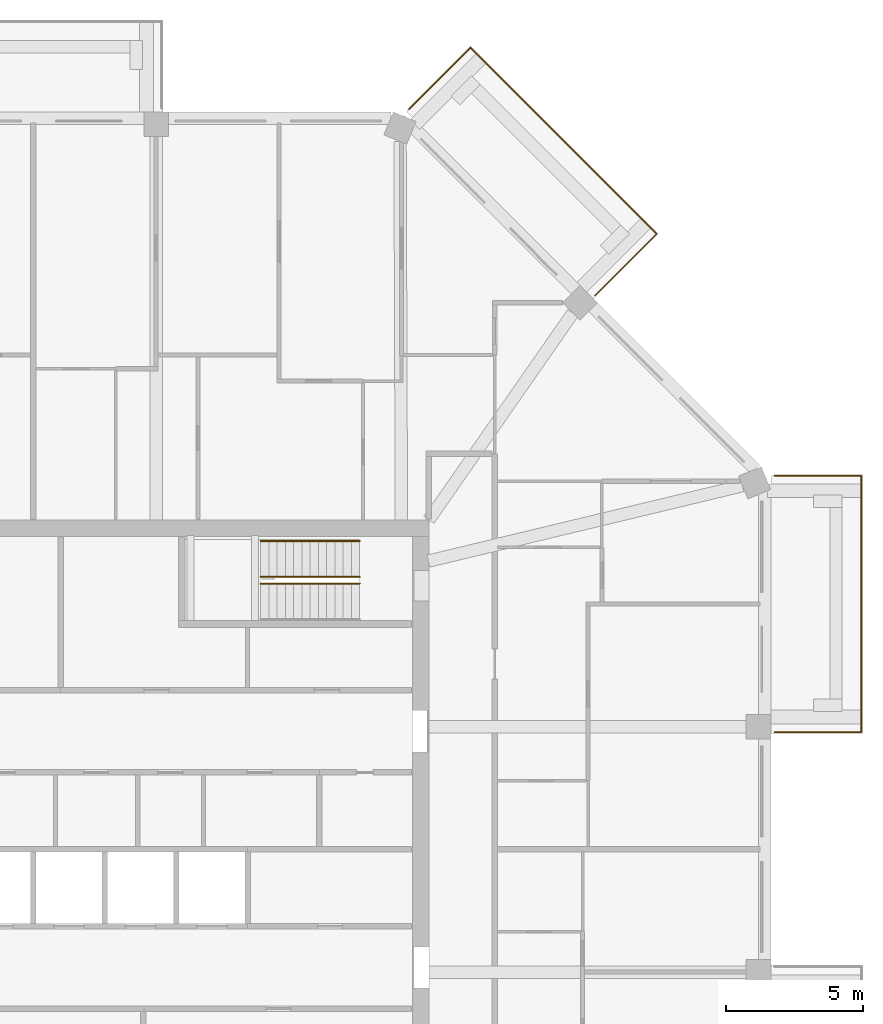
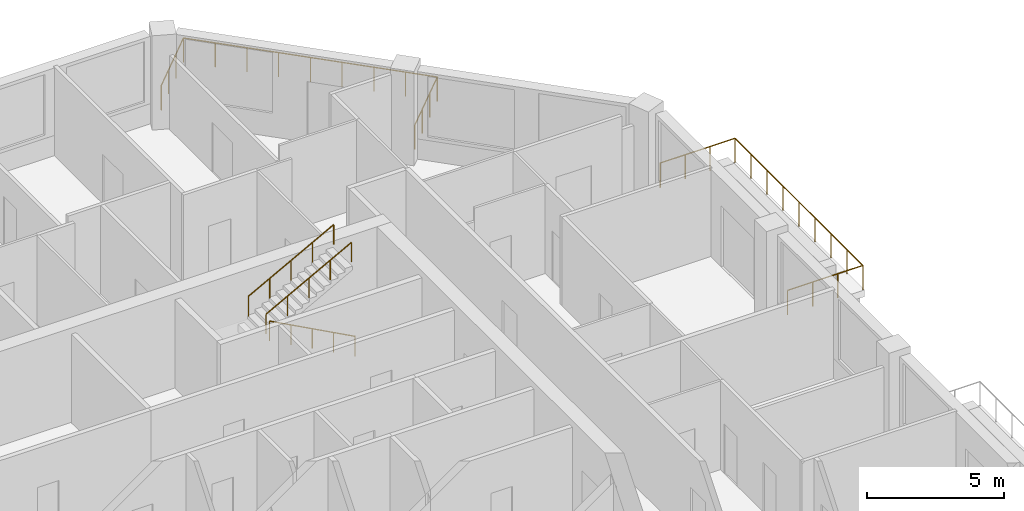
# One storey, part 12 of 12: 5 railings.
"""IFC4 building model written with IfcOpenShell, lengths in metres."""

from ifc_helpers import new_model, si_unit, direction, frame, origin, origin_2d, place, context, subcontext, project, spatial, circle, extrude, material, constituent, constituent_set, type_object, element, save


model = new_model("IFC4")

# Units and contexts
model_context = context("Model", 3, precision=1e-05, world=origin(), true_north=direction((0.0, 1.0)))
body_context = subcontext(model_context, "Body", "Model", "MODEL_VIEW")
ifc_project = project(units=[si_unit("LENGTHUNIT", "METRE"), si_unit("AREAUNIT", "SQUARE_METRE"), si_unit("VOLUMEUNIT", "CUBIC_METRE"), si_unit("PLANEANGLEUNIT", "RADIAN"), si_unit("MASSUNIT", "GRAM", prefix="KILO")], contexts=[model_context])

# Site, building, storey
site_placement = place(None, origin())
site = spatial("IfcSite", under=ifc_project, at=site_placement, CompositionType="ELEMENT")
building_placement = place(site_placement, origin())
building = spatial("IfcBuilding", under=site, at=building_placement, Name="Msitu Wima Residences", CompositionType="ELEMENT")
storey_placement = place(building_placement, frame((0.0, 0.0, 276.89990234375)))
storey = spatial("IfcBuildingStorey", under=building, at=storey_placement, Name="L64", CompositionType="ELEMENT", Elevation=276.89990234375)

# Railings
ifc_material_1 = material(Name="Steel S355", Category="steel")
ifc_constituent_1 = constituent(ifc_material_1, Name="Steel S355")
ifc_material_2 = material(Name="Weathering patina")
ifc_constituent_2 = constituent(ifc_material_2, Name="Weathering patina")
ifc_constituent_set_1 = constituent_set(constituents=[ifc_constituent_1, ifc_constituent_2], Name="Steel S355")
railing_type_1 = type_object("IfcRailingType", Name="Balcony guard GR1100", PredefinedType="GUARDRAIL", material=ifc_constituent_set_1)
railing_1_placement = place(storey_placement, frame((26.97998046875, 13.592041015625, 0.0)))
element("IfcRailing", 1, at=railing_1_placement, inside=storey, type_object=railing_type_1, Name="Balcony guard E2 L64", PredefinedType="GUARDRAIL", context=body_context, shape_type="SweptSolid", body=[
    extrude(circle(Radius=0.02392578125, at=origin_2d()), frame((0.0, 0.0, 1.076171875), z_axis=(0.923276184907, 0.384136806859, 0.0), x_axis=(-0.384136806859, 0.923276184907, 0.0)), (0.0, 0.0, 1.0), 0.0361328125),
    extrude(circle(Radius=0.02392578125, at=origin_2d()), frame((0.033447265625, 0.013916015625, 1.076171875), z_axis=(1.0, 0.0, 0.0), x_axis=(0.0, 1.0, 0.0)), (0.0, 0.0, 1.0), 3.136474609375),
    extrude(circle(Radius=0.02392578125, at=origin_2d()), frame((3.169921875, 0.013916015625, 1.076171875), z_axis=(0.0, -1.0, 0.0), x_axis=(1.0, 0.0, 0.0)), (0.0, 0.0, 1.0), 9.33740234375),
    extrude(circle(Radius=0.02392578125, at=origin_2d()), frame((3.169921875, -9.323486328125, 1.076171875), z_axis=(-1.0, 0.0, 0.0), x_axis=(0.0, -1.0, 0.0)), (0.0, 0.0, 1.0), 3.169921875),
    extrude(circle(Radius=0.02099609375, at=origin_2d()), origin(), (0.0, 0.0, 1.0), 1.052001953125),
    extrude(circle(Radius=0.02099609375, at=origin_2d()), frame((0.033447265625, 0.013916015625, 0.0)), (0.0, 0.0, 1.0), 1.052001953125),
    extrude(circle(Radius=0.02099609375, at=origin_2d()), frame((1.078857421875, 0.013916015625, 0.0)), (0.0, 0.0, 1.0), 1.052001953125),
    extrude(circle(Radius=0.02099609375, at=origin_2d()), frame((2.12451171875, 0.013916015625, 0.0)), (0.0, 0.0, 1.0), 1.052001953125),
    extrude(circle(Radius=0.02099609375, at=origin_2d()), frame((3.169921875, 0.013916015625, 0.0)), (0.0, 0.0, 1.0), 1.052001953125),
    extrude(circle(Radius=0.02099609375, at=origin_2d()), frame((3.169921875, -1.1533203125, 0.0)), (0.0, 0.0, 1.0), 1.052001953125),
    extrude(circle(Radius=0.02099609375, at=origin_2d()), frame((3.169921875, -2.3203125, 0.0)), (0.0, 0.0, 1.0), 1.052001953125),
    extrude(circle(Radius=0.02099609375, at=origin_2d()), frame((3.169921875, -3.487548828125, 0.0)), (0.0, 0.0, 1.0), 1.052001953125),
    extrude(circle(Radius=0.02099609375, at=origin_2d()), frame((3.169921875, -4.65478515625, 0.0)), (0.0, 0.0, 1.0), 1.052001953125),
    extrude(circle(Radius=0.02099609375, at=origin_2d()), frame((3.169921875, -5.822021484375, 0.0)), (0.0, 0.0, 1.0), 1.052001953125),
    extrude(circle(Radius=0.02099609375, at=origin_2d()), frame((3.169921875, -6.9892578125, 0.0)), (0.0, 0.0, 1.0), 1.052001953125),
    extrude(circle(Radius=0.02099609375, at=origin_2d()), frame((3.169921875, -8.15625, 0.0)), (0.0, 0.0, 1.0), 1.052001953125),
    extrude(circle(Radius=0.02099609375, at=origin_2d()), frame((3.169921875, -9.323486328125, 0.0)), (0.0, 0.0, 1.0), 1.052001953125),
    extrude(circle(Radius=0.02099609375, at=origin_2d()), frame((2.11328125, -9.323486328125, 0.0)), (0.0, 0.0, 1.0), 1.052001953125),
    extrude(circle(Radius=0.02099609375, at=origin_2d()), frame((1.056640625, -9.323486328125, 0.0)), (0.0, 0.0, 1.0), 1.052001953125),
    extrude(circle(Radius=0.02099609375, at=origin_2d()), frame((0.0, -9.323486328125, 0.0)), (0.0, 0.0, 1.0), 1.052001953125),
])
railing_2_placement = place(storey_placement, frame((13.684326171875, 26.941650390625, 0.0)))
element("IfcRailing", 2, at=railing_2_placement, inside=storey, type_object=railing_type_1, Name="Balcony guard NE1 L64", PredefinedType="GUARDRAIL", context=body_context, shape_type="SweptSolid", body=[
    extrude(circle(Radius=0.02392578125, at=origin_2d()), frame((0.0, 0.0, 1.076171875), z_axis=(0.38176015442, 0.92426142649, 0.0), x_axis=(-0.92426142649, 0.38176015442, 0.0)), (0.0, 0.0, 1.0), 0.036376953125),
    extrude(circle(Radius=0.02392578125, at=origin_2d()), frame((0.013916015625, 0.03369140625, 1.076171875), z_axis=(0.707106781187, 0.707106781187, 0.0), x_axis=(-0.707106781187, 0.707106781187, 0.0)), (0.0, 0.0, 1.0), 3.136474609375),
    extrude(circle(Radius=0.02392578125, at=origin_2d()), frame((2.231689453125, 2.25146484375, 1.076171875), z_axis=(0.707106781187, -0.707106781187, 0.0), x_axis=(0.707106781187, 0.707106781187, 0.0)), (0.0, 0.0, 1.0), 9.58837890625),
    extrude(circle(Radius=0.02392578125, at=origin_2d()), frame((9.01171875, -4.528564453125, 1.076171875), z_axis=(-0.707106781187, -0.707106781187, 0.0), x_axis=(0.707106781187, -0.707106781187, 0.0)), (0.0, 0.0, 1.0), 3.169921875),
    extrude(circle(Radius=0.02099609375, at=origin_2d()), origin(), (0.0, 0.0, 1.0), 1.052001953125),
    extrude(circle(Radius=0.02099609375, at=origin_2d()), frame((0.013916015625, 0.03369140625, 0.0)), (0.0, 0.0, 1.0), 1.052001953125),
    extrude(circle(Radius=0.02099609375, at=origin_2d()), frame((0.753173828125, 0.77294921875, 0.0)), (0.0, 0.0, 1.0), 1.052001953125),
    extrude(circle(Radius=0.02099609375, at=origin_2d()), frame((1.492431640625, 1.51220703125, 0.0)), (0.0, 0.0, 1.0), 1.052001953125),
    extrude(circle(Radius=0.02099609375, at=origin_2d()), frame((2.231689453125, 2.25146484375, 0.0)), (0.0, 0.0, 1.0), 1.052001953125),
    extrude(circle(Radius=0.02099609375, at=origin_2d()), frame((3.0791015625, 1.404052734375, 0.0)), (0.0, 0.0, 1.0), 1.052001953125),
    extrude(circle(Radius=0.02099609375, at=origin_2d()), frame((3.9267578125, 0.556396484375, 0.0)), (0.0, 0.0, 1.0), 1.052001953125),
    extrude(circle(Radius=0.02099609375, at=origin_2d()), frame((4.774169921875, -0.291015625, 0.0)), (0.0, 0.0, 1.0), 1.052001953125),
    extrude(circle(Radius=0.02099609375, at=origin_2d()), frame((5.62158203125, -1.138671875, 0.0)), (0.0, 0.0, 1.0), 1.052001953125),
    extrude(circle(Radius=0.02099609375, at=origin_2d()), frame((6.46923828125, -1.986083984375, 0.0)), (0.0, 0.0, 1.0), 1.052001953125),
    extrude(circle(Radius=0.02099609375, at=origin_2d()), frame((7.316650390625, -2.83349609375, 0.0)), (0.0, 0.0, 1.0), 1.052001953125),
    extrude(circle(Radius=0.02099609375, at=origin_2d()), frame((8.164306640625, -3.68115234375, 0.0)), (0.0, 0.0, 1.0), 1.052001953125),
    extrude(circle(Radius=0.02099609375, at=origin_2d()), frame((9.01171875, -4.528564453125, 0.0)), (0.0, 0.0, 1.0), 1.052001953125),
    extrude(circle(Radius=0.02099609375, at=origin_2d()), frame((8.2646484375, -5.275634765625, 0.0)), (0.0, 0.0, 1.0), 1.052001953125),
    extrude(circle(Radius=0.02099609375, at=origin_2d()), frame((7.517333984375, -6.02294921875, 0.0)), (0.0, 0.0, 1.0), 1.052001953125),
    extrude(circle(Radius=0.02099609375, at=origin_2d()), frame((6.770263671875, -6.77001953125, 0.0)), (0.0, 0.0, 1.0), 1.052001953125),
])
ifc_constituent_3 = constituent(ifc_material_1, Name="Steel S355")
ifc_material_3 = material(Name="Black powder coating")
ifc_constituent_4 = constituent(ifc_material_3, Name="Black powder coating")
ifc_constituent_set_2 = constituent_set(constituents=[ifc_constituent_3, ifc_constituent_4], Name="Steel S355")
railing_type_2 = type_object("IfcRailingType", Name="Stair handrail HR1", PredefinedType="HANDRAIL", material=ifc_constituent_set_2)
railing_3_placement = place(storey_placement, frame((11.875, 9.675048828125, 0.16162109375)))
element("IfcRailing", 3, at=railing_3_placement, inside=storey, type_object=railing_type_2, Name="Stair 3 handrail", PredefinedType="HANDRAIL", context=body_context, shape_type="SweptSolid", body=[
    extrude(circle(Radius=0.02392578125, at=origin_2d()), frame((0.0, 0.0, 0.8759765625), z_axis=(-0.880474934443, 0.0, 0.474092701714), x_axis=(0.0, -1.0, 0.0)), (0.0, 0.0, 1.0), 4.0888671875),
    extrude(circle(Radius=0.02099609375, at=origin_2d()), origin(), (0.0, 0.0, 1.0), 0.851806640625),
    extrude(circle(Radius=0.02099609375, at=origin_2d()), frame((-0.89990234375, 0.0, 0.484619140625)), (0.0, 0.0, 1.0), 0.851806640625),
    extrude(circle(Radius=0.02099609375, at=origin_2d()), frame((-1.800048828125, 0.0, 0.96923828125)), (0.0, 0.0, 1.0), 0.851806640625),
    extrude(circle(Radius=0.02099609375, at=origin_2d()), frame((-2.7001953125, 0.0, 1.453857421875)), (0.0, 0.0, 1.0), 0.851806640625),
    extrude(circle(Radius=0.02099609375, at=origin_2d()), frame((-3.60009765625, 0.0, 1.9384765625)), (0.0, 0.0, 1.0), 0.851806640625),
])
for number, where, name in (
    (4, (8.27490234375, 9.925048828125, 2.26171875), "Stair 3 handrail"),
    (5, (8.27490234375, 11.22509765625, 2.26171875), "Stair 3 handrail"),
):
    element("IfcRailing", number, at=place(storey_placement, frame(where)), inside=storey, type_object=railing_type_2, Name=name, PredefinedType="HANDRAIL", context=body_context, shape_type="SweptSolid", body=[
        extrude(circle(Radius=0.02392578125, at=origin_2d()), frame((0.0, 0.0, 0.8759765625), z_axis=(0.880474934443, 0.0, 0.474092701714), x_axis=(0.0, 1.0, 0.0)), (0.0, 0.0, 1.0), 4.0888671875),
        extrude(circle(Radius=0.02099609375, at=origin_2d()), origin(), (0.0, 0.0, 1.0), 0.851806640625),
        extrude(circle(Radius=0.02099609375, at=origin_2d()), frame((0.89990234375, 0.0, 0.484619140625)), (0.0, 0.0, 1.0), 0.851806640625),
        extrude(circle(Radius=0.02099609375, at=origin_2d()), frame((1.800048828125, 0.0, 0.96923828125)), (0.0, 0.0, 1.0), 0.851806640625),
        extrude(circle(Radius=0.02099609375, at=origin_2d()), frame((2.7001953125, 0.0, 1.453857421875)), (0.0, 0.0, 1.0), 0.851806640625),
        extrude(circle(Radius=0.02099609375, at=origin_2d()), frame((3.60009765625, 0.0, 1.9384765625)), (0.0, 0.0, 1.0), 0.851806640625),
    ])

save(model, "model.ifc")
